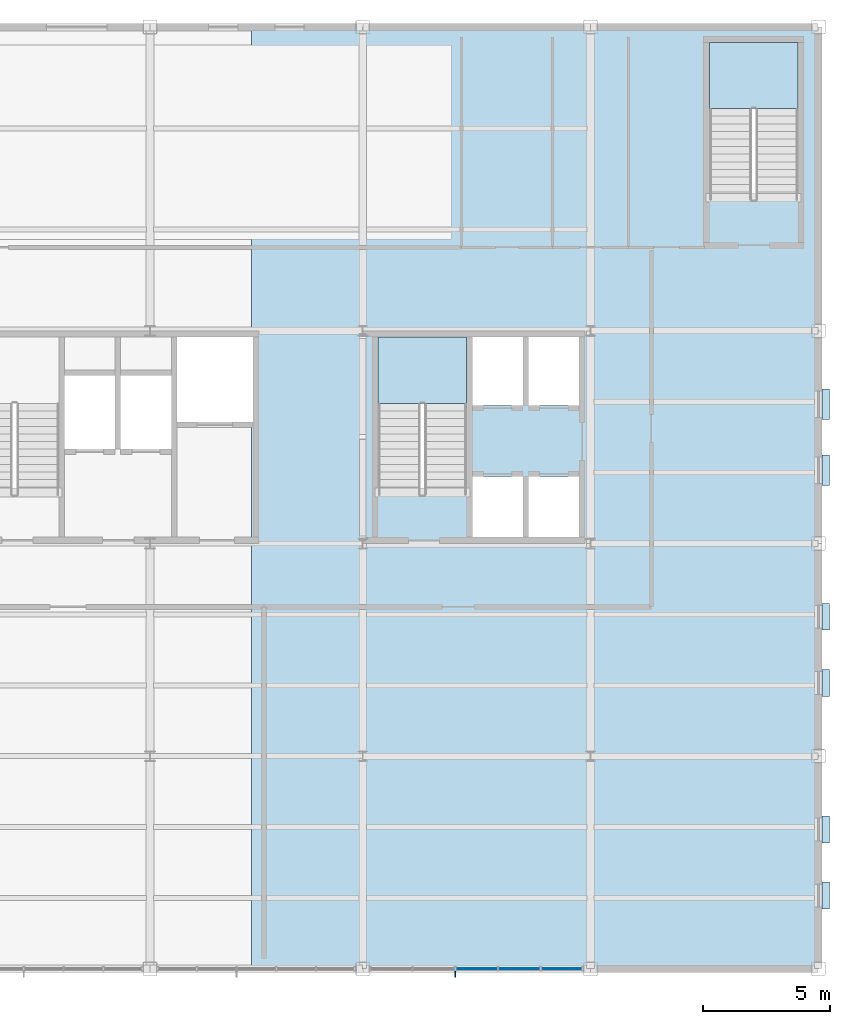
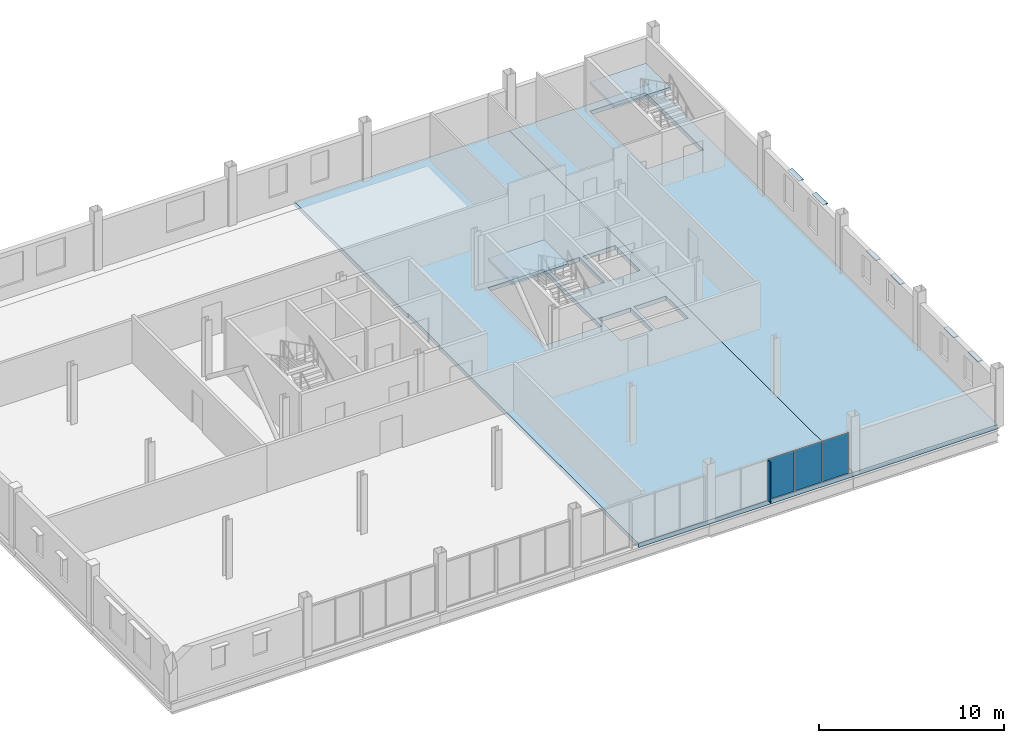
# One storey, part 11 of 17: 10 plates, 4 slabs, 3 elements without a shape of their own.
"""IFC4 building model written with IfcOpenShell, lengths in metres."""

from ifc_helpers import new_model, si_unit, direction, frame, origin, origin_2d, place, context, subcontext, project, spatial, polyline, rectangle, outline, extrude, material, layer, layer_set, type_object, element, aggregate, save


model = new_model("IFC4")

# Units and contexts
model_context = context("Model", 3, precision=1e-05, world=origin(), true_north=direction((0.0, 1.0)))
body_context = subcontext(model_context, "Body", "Model", "MODEL_VIEW")
ifc_project = project(units=[si_unit("LENGTHUNIT", "METRE"), si_unit("AREAUNIT", "SQUARE_METRE"), si_unit("VOLUMEUNIT", "CUBIC_METRE"), si_unit("PLANEANGLEUNIT", "RADIAN"), si_unit("MASSUNIT", "GRAM", prefix="KILO")], contexts=[model_context])

# Site, building, storey
site_placement = place(None, origin())
site = spatial("IfcSite", under=ifc_project, at=site_placement, CompositionType="ELEMENT")
building_placement = place(site_placement, origin())
building = spatial("IfcBuilding", under=site, at=building_placement, Name="Yukiwa Park Conservatory and Herbarium", CompositionType="ELEMENT")
storey_placement = place(building_placement, frame((0.0, 0.0, 17.10009765625)))
storey = spatial("IfcBuildingStorey", under=building, at=storey_placement, Name="L04", CompositionType="ELEMENT", Elevation=17.10009765625)

# Curtain wall, plates
ifc_material_1 = material(Name="Triple Low-E Insulated Glass", Category="glass")
ifc_layer_1 = layer(ifc_material_1, 0.199951171875)
ifc_layer_set_1 = layer_set([ifc_layer_1], Name="Triple Low-E Insulated Glass")
curtain_wall_type = type_object("IfcCurtainWallType", Name="CW-VISITOR-1600", PredefinedType="NOTDEFINED", material=ifc_layer_set_1)
curtain_wall_placement = place(storey_placement, origin())
curtain_wall = element("IfcCurtainWall", 1, at=curtain_wall_placement, inside=storey, type_object=curtain_wall_type, Name="L04 unitised curtain wall CW-L04-075", PredefinedType="NOTDEFINED")
ifc_material_2 = material(Name="Triple Low-E Insulated Glass", Category="glass")
ifc_layer_2 = layer(ifc_material_2, 0.035888671875)
ifc_layer_set_2 = layer_set([ifc_layer_2], Name="Triple Low-E Insulated Glass")
plate_type_1 = type_object("IfcPlateType", Name="PL-CW-GLZ-36", PredefinedType="CURTAIN_PANEL", material=ifc_layer_set_2)
plate_1_placement = place(storey_placement, frame((154.5, 78.0, 0.06982421875), z_axis=(0.0, 0.0, 1.0), x_axis=(1.0, 0.0, 0.0)))
plate_1 = element("IfcPlate", 2, at=plate_1_placement, type_object=plate_type_1, Name="CW-L04-075 vision panel 3.1", PredefinedType="CURTAIN_PANEL", context=body_context, shape_type="SweptSolid", body=[
    extrude(rectangle(XDim=1.6201171875, YDim=0.035888671875, at=origin_2d()), origin(), (0.0, 0.0, 1.0), 2.66796875),
])
plate_2_placement = place(storey_placement, frame((156.18994140625, 78.0, 0.06982421875), z_axis=(0.0, 0.0, 1.0), x_axis=(1.0, 0.0, 0.0)))
plate_2 = element("IfcPlate", 3, at=plate_2_placement, type_object=plate_type_1, Name="CW-L04-075 vision panel 4.1", PredefinedType="CURTAIN_PANEL", context=body_context, shape_type="SweptSolid", body=[
    extrude(rectangle(XDim=1.6201171875, YDim=0.035888671875, at=origin_2d()), origin(), (0.0, 0.0, 1.0), 2.66796875),
])
plate_3_placement = place(storey_placement, frame((157.8798828125, 78.0, 0.06982421875), z_axis=(0.0, 0.0, 1.0), x_axis=(1.0, 0.0, 0.0)))
plate_3 = element("IfcPlate", 4, at=plate_3_placement, type_object=plate_type_1, Name="CW-L04-075 vision panel 5.1", PredefinedType="CURTAIN_PANEL", context=body_context, shape_type="SweptSolid", body=[
    extrude(rectangle(XDim=1.6201171875, YDim=0.035888671875, at=origin_2d()), origin(), (0.0, 0.0, 1.0), 2.66796875),
])
aggregate(curtain_wall, [plate_1, plate_2, plate_3])

# Plates
ifc_material_3 = material(Name="Anodised Aluminium", Category="aluminium")
ifc_layer_3 = layer(ifc_material_3, 0.050048828125)
ifc_layer_set_3 = layer_set([ifc_layer_3], Name="Anodised Aluminium")
plate_type_2 = type_object("IfcPlateType", Name="PL-FIN-ALU-50", PredefinedType="USERDEFINED", material=ifc_layer_set_3)
plate_4_placement = place(storey_placement, frame((153.655029296875, 77.81005859375, 0.059814453125), z_axis=(0.0, 0.0, 1.0), x_axis=(1.0, 0.0, 0.0)))
element("IfcPlate", 5, at=plate_4_placement, inside=storey, type_object=plate_type_2, Name="CW-L04-075 exterior vertical shading fin", ObjectType="SHADING FIN", PredefinedType="USERDEFINED", context=body_context, shape_type="SweptSolid", body=[
    extrude(rectangle(XDim=0.050048828125, YDim=0.280029296875, at=origin_2d()), origin(), (0.0, 0.0, 1.0), 2.68798828125),
])
ifc_material_4 = material(Name="Anodised Aluminium", Category="aluminium")
ifc_layer_4 = layer(ifc_material_4, 0.0400390625)
ifc_layer_set_4 = layer_set([ifc_layer_4], Name="Anodised Aluminium")
plate_type_3 = type_object("IfcPlateType", Name="PL-SHADE-ALU-40", PredefinedType="SHEET", material=ifc_layer_set_4)
for number, where, z_axis, x_axis, name in (
    (6, (168.2900390625, 80.89208984375, 2.639892578125), (0.0, 0.0, 1.0), (0.0, 1.0, 0.0), "L04 snow-shedding window hood 132"),
    (7, (168.2900390625, 83.508056640625, 2.639892578125), (0.0, 0.0, 1.0), (0.0, 1.0, 0.0), "L04 snow-shedding window hood 133"),
    (8, (168.2900390625, 89.2919921875, 2.639892578125), (0.0, 0.0, 1.0), (0.0, 1.0, 0.0), "L04 snow-shedding window hood 134"),
    (9, (168.2900390625, 91.907958984375, 2.639892578125), (0.0, 0.0, 1.0), (0.0, 1.0, 0.0), "L04 snow-shedding window hood 135"),
):
    element("IfcPlate", number, at=place(storey_placement, frame(where, z_axis=z_axis, x_axis=x_axis)), inside=storey, type_object=plate_type_3, Name=name, PredefinedType="SHEET", context=body_context, shape_type="SweptSolid", body=[
        extrude(rectangle(XDim=1.06005859375, YDim=0.300048828125, at=origin_2d()), origin(), (0.0, 0.0, 1.0), 0.0400390625),
    ])
for number, where, z_axis, x_axis, name in (
    (10, (168.2900390625, 97.69189453125, 2.83984375), (0.0, 0.0, 1.0), (0.0, 1.0, 0.0), "L04 snow-shedding window hood 136"),
    (11, (168.2900390625, 100.30810546875, 2.83984375), (0.0, 0.0, 1.0), (0.0, 1.0, 0.0), "L04 snow-shedding window hood 137"),
):
    element("IfcPlate", number, at=place(storey_placement, frame(where, z_axis=z_axis, x_axis=x_axis)), inside=storey, type_object=plate_type_3, Name=name, PredefinedType="SHEET", context=body_context, shape_type="SweptSolid", body=[
        extrude(rectangle(XDim=1.2099609375, YDim=0.300048828125, at=origin_2d()), origin(), (0.0, 0.0, 1.0), 0.0400390625),
    ])

# Slabs
ifc_material_5 = material(Name="Concrete C40", Category="concrete")
ifc_layer_5 = layer(ifc_material_5, 0.280029296875)
ifc_layer_set_5 = layer_set([ifc_layer_5], Name="Concrete C40")
slab_type_1 = type_object("IfcSlabType", Name="SL-FLR-280", PredefinedType="FLOOR", material=ifc_layer_set_5)
slab_1_placement = place(storey_placement, frame((0.0, 0.0, -0.280029296875)))
element("IfcSlab", 12, at=slab_1_placement, inside=storey, type_object=slab_type_1, Name="L04 composite structural floor slab V5C", PredefinedType="FLOOR", context=body_context, shape_type="SweptSolid", body=[
    extrude(outline(polyline([(145.60009765625, 99.60009765625), (145.659912109375, 99.60009765625), (145.659912109375, 102.949951171875), (145.60009765625, 102.949951171875), (145.60009765625, 115.199951171875), (159.0, 115.199951171875), (159.0, 78.0), (145.60009765625, 78.0), (145.60009765625, 99.60009765625)]), holes=[polyline([(154.330078125, 97.449951171875), (154.330078125, 95.050048828125), (156.330078125, 95.050048828125), (156.330078125, 97.449951171875), (154.330078125, 97.449951171875)]), polyline([(156.550048828125, 97.449951171875), (156.550048828125, 95.050048828125), (158.550048828125, 95.050048828125), (158.550048828125, 97.449951171875), (156.550048828125, 97.449951171875)]), polyline([(154.110107421875, 102.949951171875), (150.60009765625, 102.949951171875), (150.60009765625, 96.72998046875), (154.110107421875, 96.72998046875), (154.110107421875, 102.949951171875)]), polyline([(154.330078125, 102.949951171875), (154.330078125, 100.25), (156.330078125, 100.25), (156.330078125, 102.949951171875), (154.330078125, 102.949951171875)]), polyline([(158.550048828125, 102.949951171875), (156.550048828125, 102.949951171875), (156.550048828125, 100.25), (158.550048828125, 100.25), (158.550048828125, 102.949951171875)])]), origin(), (0.0, 0.0, 1.0), 0.280029296875),
])
slab_2_placement = place(storey_placement, frame((0.0, 0.0, -0.280029296875)))
element("IfcSlab", 13, at=slab_2_placement, inside=storey, type_object=slab_type_1, Name="L04 composite structural floor slab V5E", PredefinedType="FLOOR", context=body_context, shape_type="SweptSolid", body=[
    extrude(outline(polyline([(168.0, 78.0), (159.0, 78.0), (159.0, 115.199951171875), (168.0, 115.199951171875), (168.0, 78.0)]), holes=[polyline([(167.199951171875, 114.60009765625), (163.68994140625, 114.60009765625), (163.68994140625, 108.3798828125), (167.199951171875, 108.3798828125), (167.199951171875, 114.60009765625)])]), origin(), (0.0, 0.0, 1.0), 0.280029296875),
])

# Stair, slab
ifc_material_6 = material(Name="Concrete C40", Category="concrete")
stair_type_1 = type_object("IfcStairType", Name="ST-DOGLEG-ST-T2", PredefinedType="HALF_TURN_STAIR", material=ifc_material_6)
stair_1_placement = place(storey_placement, origin())
stair_1 = element("IfcStair", 14, at=stair_1_placement, inside=storey, type_object=stair_type_1, Name="L04 Protected Smoke-Proof Stair ST-T2", PredefinedType="HALF_TURN_STAIR")
ifc_material_7 = material(Name="Concrete C40", Category="concrete")
ifc_layer_6 = layer(ifc_material_7, 0.199951171875)
ifc_layer_set_6 = layer_set([ifc_layer_6], Name="Concrete C40")
slab_type_2 = type_object("IfcSlabType", Name="SL-LANDING-220", PredefinedType="LANDING", material=ifc_layer_set_6)
slab_3_placement = place(storey_placement, frame((0.0, 0.0, 1.75)))
slab_3 = element("IfcSlab", 15, at=slab_3_placement, type_object=slab_type_2, Name="ST-T2 landing 1", PredefinedType="LANDING", context=body_context, shape_type="SweptSolid", body=[
    extrude(outline(polyline([(154.110107421875, 100.330078125), (154.110107421875, 102.949951171875), (150.60009765625, 102.949951171875), (150.60009765625, 100.330078125), (154.110107421875, 100.330078125)])), origin(), (0.0, 0.0, 1.0), 0.199951171875),
])
aggregate(stair_1, [slab_3])

ifc_material_8 = material(Name="Concrete C40", Category="concrete")
stair_type_2 = type_object("IfcStairType", Name="ST-DOGLEG-ST-T3", PredefinedType="HALF_TURN_STAIR", material=ifc_material_8)
stair_2_placement = place(storey_placement, origin())
stair_2 = element("IfcStair", 16, at=stair_2_placement, inside=storey, type_object=stair_type_2, Name="L04 Protected Smoke-Proof Stair ST-T3", PredefinedType="HALF_TURN_STAIR")
slab_4_placement = place(storey_placement, frame((0.0, 0.0, 1.75)))
slab_4 = element("IfcSlab", 17, at=slab_4_placement, type_object=slab_type_2, Name="ST-T3 landing 1", PredefinedType="LANDING", context=body_context, shape_type="SweptSolid", body=[
    extrude(outline(polyline([(167.199951171875, 111.97998046875), (167.199951171875, 114.60009765625), (163.68994140625, 114.60009765625), (163.68994140625, 111.97998046875), (167.199951171875, 111.97998046875)])), origin(), (0.0, 0.0, 1.0), 0.199951171875),
])
aggregate(stair_2, [slab_4])

save(model, "model.ifc")
